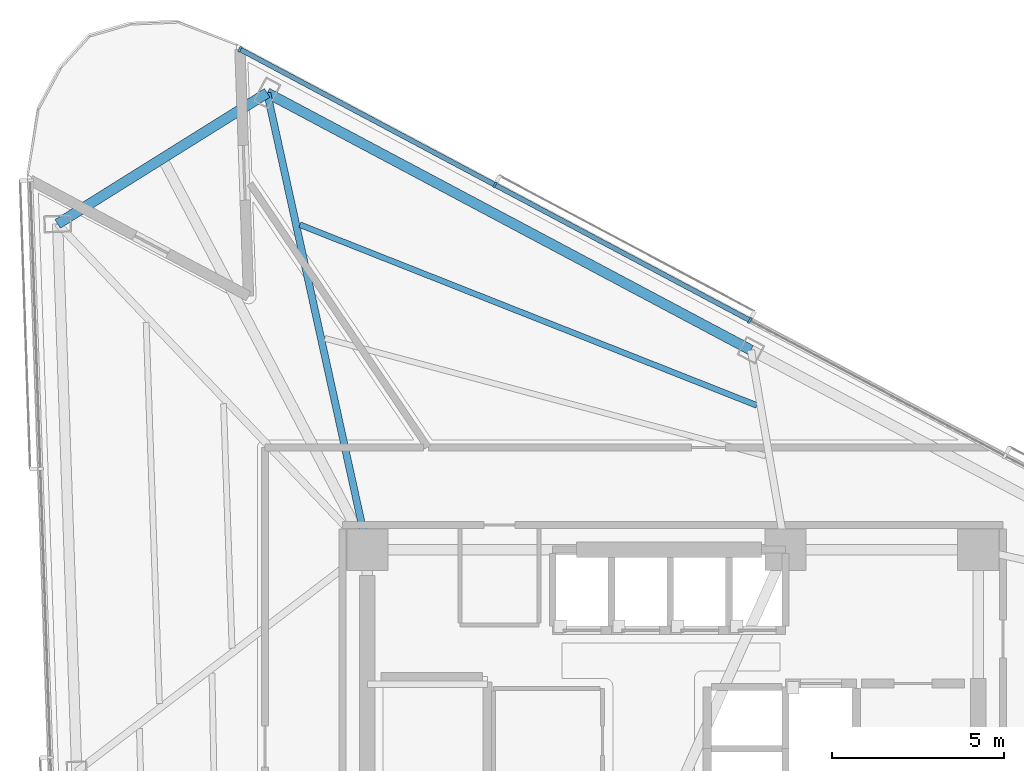
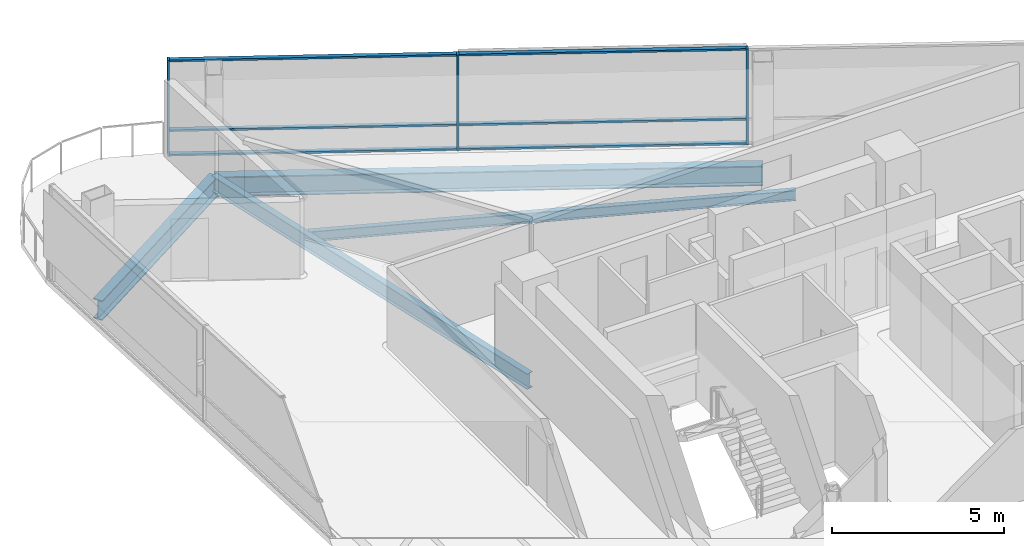
# One storey, part 9 of 18: 9 members, 4 beams, 1 element without a shape of its own.
"""IFC4 building model written with IfcOpenShell, lengths in metres."""

from ifc_helpers import new_model, si_unit, direction, frame, origin, origin_2d, place, context, subcontext, project, spatial, rectangle, i_section, extrude, material, layer, layer_set, material_profile, profile_set, type_object, element, aggregate, save


model = new_model("IFC4")

# Units and contexts
model_context = context("Model", 3, precision=1e-05, world=origin(), true_north=direction((0.0, 1.0)))
body_context = subcontext(model_context, "Body", "Model", "MODEL_VIEW")
ifc_project = project(units=[si_unit("LENGTHUNIT", "METRE"), si_unit("AREAUNIT", "SQUARE_METRE"), si_unit("VOLUMEUNIT", "CUBIC_METRE"), si_unit("PLANEANGLEUNIT", "RADIAN"), si_unit("MASSUNIT", "GRAM", prefix="KILO")], contexts=[model_context])

# Site, building, storey
site_placement = place(None, origin())
site = spatial("IfcSite", under=ifc_project, at=site_placement, CompositionType="ELEMENT")
building_placement = place(site_placement, origin())
building = spatial("IfcBuilding", under=site, at=building_placement, Name="Tharavind Bronze Gate", CompositionType="ELEMENT")
storey_placement = place(building_placement, frame((0.0, 0.0, 153.199951171875)))
storey = spatial("IfcBuildingStorey", under=building, at=storey_placement, Name="L39", CompositionType="ELEMENT", Elevation=153.199951171875)

# Curtain wall, members
ifc_material_1 = material(Name="Anodised Bronze Aluminium", Category="aluminium")
ifc_layer = layer(ifc_material_1, 0.219970703125)
ifc_layer_set = layer_set([ifc_layer], Name="Anodised Bronze Aluminium")
curtain_wall_type = type_object("IfcCurtainWallType", Name="UNITISED CURTAIN WALL MID OFFICE", PredefinedType="USERDEFINED", material=ifc_layer_set)
curtain_wall_placement = place(storey_placement, origin())
curtain_wall = element("IfcCurtainWall", 1, at=curtain_wall_placement, inside=storey, type_object=curtain_wall_type, Name="L39 unitised curtain wall mid office CW-L39-S3", ObjectType="UNITISED CURTAIN WALL", PredefinedType="USERDEFINED")
member_type_1 = type_object("IfcMemberType", Name="CURTAIN WALL BRONZE MULLION 65X180", PredefinedType="MULLION", material=ifc_material_1)
member_1_placement = place(storey_placement, frame((2.245361328125, 14.279052734375, 0.0), z_axis=(0.0, 0.0, 1.0), x_axis=(-0.882947592859, 0.469471562786, 0.0)))
member_1 = element("IfcMember", 2, at=member_1_placement, type_object=member_type_1, Name="CW-L39-S3 mullion 5", PredefinedType="MULLION", context=body_context, shape_type="SweptSolid", body=[
    extrude(rectangle(XDim=0.06494140625, YDim=0.179931640625, at=origin_2d()), origin(), (0.0, 0.0, 1.0), 3.409912109375),
])
member_2_placement = place(storey_placement, frame((-5.184326171875, 18.2294921875, 0.0), z_axis=(0.0, 0.0, 1.0), x_axis=(-0.882947592859, 0.469471562786, 0.0)))
member_2 = element("IfcMember", 3, at=member_2_placement, type_object=member_type_1, Name="CW-L39-S3 mullion 6", PredefinedType="MULLION", context=body_context, shape_type="SweptSolid", body=[
    extrude(rectangle(XDim=0.06494140625, YDim=0.179931640625, at=origin_2d()), origin(), (0.0, 0.0, 1.0), 3.409912109375),
])
member_3_placement = place(storey_placement, frame((-12.614013671875, 22.179931640625, 0.0), z_axis=(0.0, 0.0, 1.0), x_axis=(-0.882947592859, 0.469471562786, 0.0)))
member_3 = element("IfcMember", 4, at=member_3_placement, type_object=member_type_1, Name="CW-L39-S3 mullion 7", PredefinedType="MULLION", context=body_context, shape_type="SweptSolid", body=[
    extrude(rectangle(XDim=0.06494140625, YDim=0.179931640625, at=origin_2d()), origin(), (0.0, 0.0, 1.0), 3.409912109375),
])
member_type_2 = type_object("IfcMemberType", Name="CURTAIN WALL BRONZE TRANSOM 65X140", PredefinedType="USERDEFINED", material=ifc_material_1)
member_4_placement = place(storey_placement, frame((-1.469482421875, 16.25439453125, 0.0), z_axis=(0.0, 0.0, 1.0), x_axis=(-0.882947592859, 0.469471562786, 0.0)))
member_4 = element("IfcMember", 5, at=member_4_placement, type_object=member_type_2, Name="CW-L39-S3 transom TB5", ObjectType="TRANSOM", PredefinedType="USERDEFINED", context=body_context, shape_type="SweptSolid", body=[
    extrude(rectangle(XDim=8.361572265625, YDim=0.139892578125, at=origin_2d()), origin(), (0.0, 0.0, 1.0), 0.06494140625),
])
member_5_placement = place(storey_placement, frame((-1.469482421875, 16.25439453125, 0.86767578125), z_axis=(0.0, 0.0, 1.0), x_axis=(-0.882947592859, 0.469471562786, 0.0)))
member_5 = element("IfcMember", 6, at=member_5_placement, type_object=member_type_2, Name="CW-L39-S3 transom TS5", ObjectType="TRANSOM", PredefinedType="USERDEFINED", context=body_context, shape_type="SweptSolid", body=[
    extrude(rectangle(XDim=8.361572265625, YDim=0.139892578125, at=origin_2d()), origin(), (0.0, 0.0, 1.0), 0.06494140625),
])
member_6_placement = place(storey_placement, frame((-1.469482421875, 16.25439453125, 3.344970703125), z_axis=(0.0, 0.0, 1.0), x_axis=(-0.882947592859, 0.469471562786, 0.0)))
member_6 = element("IfcMember", 7, at=member_6_placement, type_object=member_type_2, Name="CW-L39-S3 transom TT5", ObjectType="TRANSOM", PredefinedType="USERDEFINED", context=body_context, shape_type="SweptSolid", body=[
    extrude(rectangle(XDim=8.361572265625, YDim=0.139892578125, at=origin_2d()), origin(), (0.0, 0.0, 1.0), 0.06494140625),
])
member_7_placement = place(storey_placement, frame((-8.899169921875, 20.20458984375, 0.0), z_axis=(0.0, 0.0, 1.0), x_axis=(-0.882947592859, 0.469471562786, 0.0)))
member_7 = element("IfcMember", 8, at=member_7_placement, type_object=member_type_2, Name="CW-L39-S3 transom TB6", ObjectType="TRANSOM", PredefinedType="USERDEFINED", context=body_context, shape_type="SweptSolid", body=[
    extrude(rectangle(XDim=8.361572265625, YDim=0.139892578125, at=origin_2d()), origin(), (0.0, 0.0, 1.0), 0.06494140625),
])
member_8_placement = place(storey_placement, frame((-8.899169921875, 20.20458984375, 0.86767578125), z_axis=(0.0, 0.0, 1.0), x_axis=(-0.882947592859, 0.469471562786, 0.0)))
member_8 = element("IfcMember", 9, at=member_8_placement, type_object=member_type_2, Name="CW-L39-S3 transom TS6", ObjectType="TRANSOM", PredefinedType="USERDEFINED", context=body_context, shape_type="SweptSolid", body=[
    extrude(rectangle(XDim=8.361572265625, YDim=0.139892578125, at=origin_2d()), origin(), (0.0, 0.0, 1.0), 0.06494140625),
])
member_9_placement = place(storey_placement, frame((-8.899169921875, 20.20458984375, 3.344970703125), z_axis=(0.0, 0.0, 1.0), x_axis=(-0.882947592859, 0.469471562786, 0.0)))
member_9 = element("IfcMember", 10, at=member_9_placement, type_object=member_type_2, Name="CW-L39-S3 transom TT6", ObjectType="TRANSOM", PredefinedType="USERDEFINED", context=body_context, shape_type="SweptSolid", body=[
    extrude(rectangle(XDim=8.361572265625, YDim=0.139892578125, at=origin_2d()), origin(), (0.0, 0.0, 1.0), 0.06494140625),
])
aggregate(curtain_wall, [member_1, member_2, member_3, member_4, member_5, member_6, member_7, member_8, member_9])

# Beams
ifc_material_2 = material(Name="Steel S355", Category="steel")
ifc_material_profile_1 = material_profile(ifc_material_2, i_section(OverallWidth=0.2099609375, OverallDepth=0.550048828125, WebThickness=0.010986328125, FlangeThickness=0.01708984375, at=origin_2d()), Name="IPE550")
ifc_profile_set_1 = profile_set([ifc_material_profile_1], Name="Steel S355")
beam_type_1 = type_object("IfcBeamType", Name="PRIMARY GIRDER IPE550", PredefinedType="USERDEFINED", material=ifc_profile_set_1)
beam_1_placement = place(storey_placement, frame((-11.819091796875, 20.90771484375, -0.46484375), z_axis=(0.21426760531, -0.976774996258, 0.0), x_axis=(0.976774996258, 0.21426760531, 0.0)))
element("IfcBeam", 11, at=beam_1_placement, inside=storey, type_object=beam_type_1, Name="L39 primary girder ipe550 BM-L39-RAD12", ObjectType="GIRDER", PredefinedType="USERDEFINED", context=body_context, shape_type="SweptSolid", body=[
    extrude(i_section(OverallWidth=0.2099609375, OverallDepth=0.550048828125, WebThickness=0.010986328125, FlangeThickness=0.01708984375, at=origin_2d()), origin(), (0.0, 0.0, 1.0), 13.6240234375),
])
ifc_material_profile_2 = material_profile(ifc_material_2, i_section(OverallWidth=0.300048828125, OverallDepth=0.699951171875, WebThickness=0.01708984375, FlangeThickness=0.031982421875, at=origin_2d()), Name="HE700B")
ifc_profile_set_2 = profile_set([ifc_material_profile_2], Name="Steel S355")
beam_type_2 = type_object("IfcBeamType", Name="RING GIRDER HE700B", PredefinedType="USERDEFINED", material=ifc_profile_set_2)
beam_2_placement = place(storey_placement, frame((2.275634765625, 13.41357421875, -0.5400390625), z_axis=(-0.882951706672, 0.469463825747, 0.0), x_axis=(-0.469463825747, -0.882951706672, 0.0)))
element("IfcBeam", 12, at=beam_2_placement, inside=storey, type_object=beam_type_2, Name="L39 ring girder he700b BM-L39-PRG11", ObjectType="GIRDER", PredefinedType="USERDEFINED", context=body_context, shape_type="SweptSolid", body=[
    extrude(i_section(OverallWidth=0.300048828125, OverallDepth=0.699951171875, WebThickness=0.01708984375, FlangeThickness=0.031982421875, at=origin_2d()), origin(), (0.0, 0.0, 1.0), 15.963134765625),
])
beam_3_placement = place(storey_placement, frame((-11.819091796875, 20.90771484375, -0.5400390625), z_axis=(-0.848038306973, -0.52993492988, 0.0), x_axis=(0.52993492988, -0.848038306973, 0.0)))
element("IfcBeam", 13, at=beam_3_placement, inside=storey, type_object=beam_type_2, Name="L39 ring girder he700b BM-L39-PRG12", ObjectType="GIRDER", PredefinedType="USERDEFINED", context=body_context, shape_type="SweptSolid", body=[
    extrude(i_section(OverallWidth=0.300048828125, OverallDepth=0.699951171875, WebThickness=0.01708984375, FlangeThickness=0.031982421875, at=origin_2d()), origin(), (0.0, 0.0, 1.0), 7.19970703125),
])
ifc_material_profile_3 = material_profile(ifc_material_2, i_section(OverallWidth=0.169921875, OverallDepth=0.360107421875, WebThickness=0.008056640625, FlangeThickness=0.0126953125, at=origin_2d()), Name="IPE360")
ifc_profile_set_3 = profile_set([ifc_material_profile_3], Name="Steel S355")
beam_type_3 = type_object("IfcBeamType", Name="SECONDARY FLOOR JOIST IPE360", PredefinedType="JOIST", material=ifc_profile_set_3)
beam_4_placement = place(storey_placement, frame((2.44384765625, 11.803466796875, -0.369873046875), z_axis=(-0.929918939499, 0.367764552344, 0.0), x_axis=(-0.367764552344, -0.929918939499, 0.0)))
element("IfcBeam", 14, at=beam_4_placement, inside=storey, type_object=beam_type_3, Name="L39 secondary floor joist ipe360 BM-L39-JSTB11", PredefinedType="JOIST", context=body_context, shape_type="SweptSolid", body=[
    extrude(i_section(OverallWidth=0.169921875, OverallDepth=0.360107421875, WebThickness=0.008056640625, FlangeThickness=0.0126953125, at=origin_2d()), origin(), (0.0, 0.0, 1.0), 14.3125),
])

save(model, "model.ifc")
